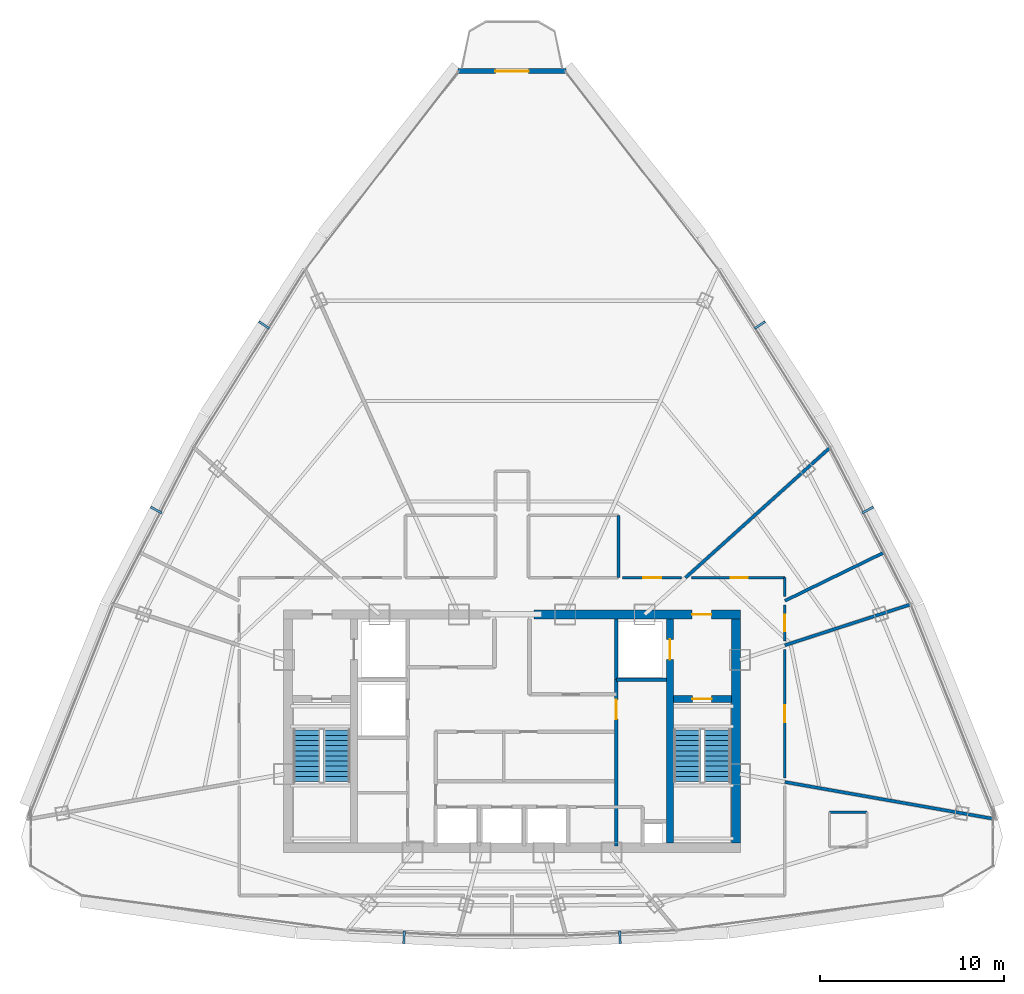
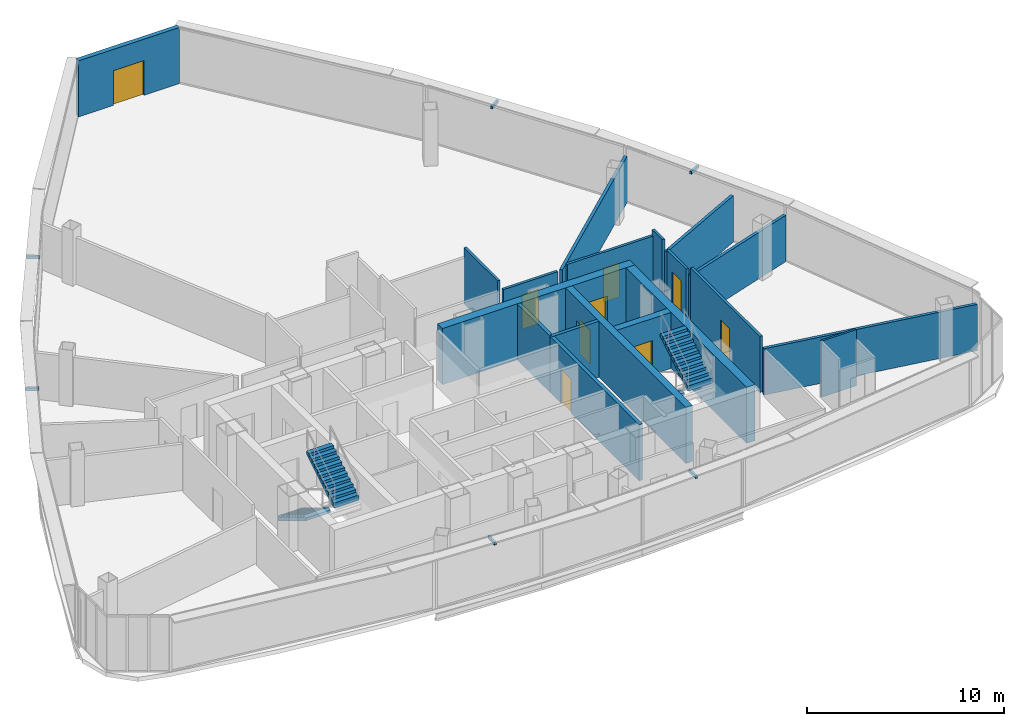
# One storey, part 26 of 29: 19 walls, 9 doors, 6 discrete accessories, 4 stair flights, 9 openings, 2 elements without a shape of their own.
"""IFC4 building model written with IfcOpenShell, lengths in metres."""

from ifc_helpers import new_model, si_unit, direction, frame, frame_2d, origin, origin_with_axes, origin_2d, place, context, subcontext, project, spatial, polyline, rectangle, outline, extrude, source, transform, mapped, material, layer, layer_set, type_object, element, fill, aggregate, save


model = new_model("IFC4")

# Units and contexts
model_context = context("Model", 3, precision=1e-05, world=origin(), true_north=direction((0.0, 1.0)))
body_context = subcontext(model_context, "Body", "Model", "MODEL_VIEW")
ifc_project = project(units=[si_unit("LENGTHUNIT", "METRE"), si_unit("AREAUNIT", "SQUARE_METRE"), si_unit("VOLUMEUNIT", "CUBIC_METRE"), si_unit("PLANEANGLEUNIT", "RADIAN"), si_unit("MASSUNIT", "GRAM", prefix="KILO"), si_unit("THERMODYNAMICTEMPERATUREUNIT", "KELVIN"), si_unit("POWERUNIT", "WATT")], contexts=[model_context])

# Site, building, storey
site_placement = place(None, origin())
site = spatial("IfcSite", under=ifc_project, at=site_placement, CompositionType="ELEMENT")
building_placement = place(site_placement, origin())
building = spatial("IfcBuilding", under=site, at=building_placement, Name="Yunzhuo Pagoda Commons", CompositionType="ELEMENT")
storey_placement = place(building_placement, frame((0.0, 0.0, 363.010009765625)))
storey = spatial("IfcBuildingStorey", under=building, at=storey_placement, Name="L91", CompositionType="ELEMENT", Elevation=363.010009765625)

# Wall, opening, door
ifc_material_1 = material(Name="Precast concrete C40", Category="concrete")
ifc_layer_1 = layer(ifc_material_1, 0.260009765625)
ifc_layer_set_1 = layer_set([ifc_layer_1], Name="Precast concrete C40")
wall_type_1 = type_object("IfcWallType", Name="W-BAL1 Corner Balcony Threshold Wall 260", PredefinedType="STANDARD", material=ifc_layer_set_1)
wall_1_placement = place(storey_placement, frame((50.951904296875, 69.7763671875, 0.0), z_axis=(0.0, 0.0, 1.0), x_axis=(-1.0, 0.0, 0.0)))
wall_1 = element("IfcWall", 1, at=wall_1_placement, inside=storey, type_object=wall_type_1, Name="L91 corner balcony wall V3", PredefinedType="STANDARD", context=body_context, shape_type="SweptSolid", body=[
    extrude(rectangle(XDim=5.90380859375, YDim=0.260009765625, at=frame_2d((2.951904296875, 0.0))), origin(), (0.0, 0.0, 1.0), 3.469970703125),
])
opening_1_placement = place(wall_1_placement, frame((2.052001953125, 0.0, 0.0)))
opening_1 = element("IfcOpeningElement", 2, at=opening_1_placement, cuts=wall_1, Name="Opening D-BAL1", PredefinedType="OPENING", context=body_context, shape_type="SweptSolid", body=[
    extrude(rectangle(XDim=1.800048828125, YDim=2.14990234375, at=frame_2d((0.89990234375, 1.074951171875))), frame((0.0, 0.14013671875, 0.0), z_axis=(0.0, -1.0, 0.0), x_axis=(1.0, 0.0, 0.0)), (0.0, 0.0, 1.0), 0.280029296875),
])
ifc_material_2 = material(Name="Anodized aluminium frame and tempered glazed leaf", Category="aluminium")
door_type_1 = type_object("IfcDoorType", Name="D-BAL1 Corner Balcony Sliding Glazed Door 1800x2150", OperationType="DOUBLE_DOOR_SLIDING", PredefinedType="DOOR", material=ifc_material_2)
shared_shape_1 = source(origin(), body_context, "Body", "SweptSolid", [
    extrude(rectangle(XDim=1.800048828125, YDim=2.14990234375, at=frame_2d((0.89990234375, 1.074951171875))), frame((0.0, 0.02490234375, 0.0), z_axis=(0.0, -1.0, 0.0), x_axis=(1.0, 0.0, 0.0)), (0.0, 0.0, 1.0), 0.050048828125),
])
door_1_placement = place(opening_1_placement, origin_with_axes())
door_1 = element("IfcDoor", 3, at=door_1_placement, inside=storey, type_object=door_type_1, Name="L91 corner balcony sliding door V3", OperationType="DOUBLE_DOOR_SLIDING", OverallHeight=2.14990234375, OverallWidth=1.800048828125, PredefinedType="DOOR", context=body_context, shape_type="MappedRepresentation", body=[
    mapped(shared_shape_1, transform((0.0, 0.0, 0.0), scale=1.0)),
])
fill(opening_1, door_1)

ifc_material_3 = material(Name="Concrete C50", Category="concrete")
ifc_layer_2 = layer(ifc_material_3, 0.5)
ifc_layer_set_2 = layer_set([ifc_layer_2], Name="Concrete C50")
wall_type_2 = type_object("IfcWallType", Name="W-C03 Upper Core Shear Wall 500", PredefinedType="SHEAR", material=ifc_layer_set_2)
wall_2_placement = place(storey_placement, frame((49.199951171875, 40.199951171875, 0.0), z_axis=(0.0, 0.0, 1.0), x_axis=(1.0, 0.0, 0.0)))
wall_2 = element("IfcWall", 4, at=wall_2_placement, inside=storey, type_object=wall_type_2, Name="L91 core shear wall NE", PredefinedType="SHEAR", context=body_context, shape_type="SweptSolid", body=[
    extrude(rectangle(XDim=11.25, YDim=0.5, at=frame_2d((5.625, 0.0))), origin(), (0.0, 0.0, 1.0), 3.469970703125),
])
opening_2_placement = place(wall_2_placement, frame((8.60009765625, 0.0, 0.0)))
opening_2 = element("IfcOpeningElement", 5, at=opening_2_placement, cuts=wall_2, Name="Opening D-02", PredefinedType="OPENING", context=body_context, shape_type="SweptSolid", body=[
    extrude(rectangle(XDim=1.050048828125, YDim=2.10009765625, at=frame_2d((0.52490234375, 1.050048828125))), frame((0.0, 0.260009765625, 0.0), z_axis=(0.0, -1.0, 0.0), x_axis=(1.0, 0.0, 0.0)), (0.0, 0.0, 1.0), 0.52001953125),
])
ifc_material_4 = material(Name="Galvanized fire-resisting metal leaf")
door_type_2 = type_object("IfcDoorType", Name="D-02 Firefighting Lobby & Refuge Fire Door 1050x2100", OperationType="NOTDEFINED", PredefinedType="DOOR", material=ifc_material_4)
shared_shape_2 = source(origin(), body_context, "Body", "SweptSolid", [
    extrude(rectangle(XDim=1.050048828125, YDim=2.10009765625, at=frame_2d((0.52490234375, 1.050048828125))), frame((0.0, 0.02490234375, 0.0), z_axis=(0.0, -1.0, 0.0), x_axis=(1.0, 0.0, 0.0)), (0.0, 0.0, 1.0), 0.050048828125),
])
door_2_placement = place(opening_2_placement, frame((1.050048828125, 0.0, 0.0), z_axis=(0.0, 0.0, 1.0), x_axis=(-1.0, 0.0, 0.0)))
door_2 = element("IfcDoor", 6, at=door_2_placement, inside=storey, type_object=door_type_2, Name="L91 Firefighting Lobby 2 fire door", OperationType="SINGLE_SWING_RIGHT", OverallHeight=2.10009765625, OverallWidth=1.050048828125, PredefinedType="DOOR", context=body_context, shape_type="MappedRepresentation", body=[
    mapped(shared_shape_2, transform((0.0, 0.0, 0.0), scale=1.0)),
])
fill(opening_2, door_2)

# Walls
wall_3_placement = place(storey_placement, frame((60.199951171875, 27.75, 0.0), z_axis=(0.0, 0.0, 1.0), x_axis=(0.0, 1.0, 0.0)))
element("IfcWall", 7, at=wall_3_placement, inside=storey, type_object=wall_type_2, Name="L91 core shear wall E", PredefinedType="SHEAR", context=body_context, shape_type="SweptSolid", body=[
    extrude(rectangle(XDim=12.199951171875, YDim=0.5, at=frame_2d((6.10009765625, 0.0))), origin(), (0.0, 0.0, 1.0), 3.469970703125),
])
ifc_material_5 = material(Name="Gypsum plasterboard on acoustic stud")
ifc_layer_3 = layer(ifc_material_5, 0.14990234375)
ifc_layer_set_3 = layer_set([ifc_layer_3], Name="Gypsum plasterboard on acoustic stud")
wall_type_3 = type_object("IfcWallType", Name="W-COR3 High-Zone Rated Corridor Wall 150", PredefinedType="PARTITIONING", material=ifc_layer_set_3)
wall_4_placement = place(storey_placement, frame((53.800048828125, 42.199951171875, 0.0), z_axis=(0.0, 0.0, 1.0), x_axis=(0.0, 1.0, 0.0)))
element("IfcWall", 8, at=wall_4_placement, inside=storey, type_object=wall_type_3, Name="L91 interior wall IW-L91-TFEE", PredefinedType="PARTITIONING", context=body_context, shape_type="SweptSolid", body=[
    extrude(rectangle(XDim=3.400146484375, YDim=0.14990234375, at=frame_2d((1.7001953125, 0.0))), origin(), (0.0, 0.0, 1.0), 3.469970703125),
])

# Wall, opening, door
wall_5_placement = place(storey_placement, frame((54.02001953125, 42.199951171875, 0.0), z_axis=(0.0, 0.0, 1.0), x_axis=(1.0, 0.0, 0.0)))
wall_5 = element("IfcWall", 9, at=wall_5_placement, inside=storey, type_object=wall_type_3, Name="L91 interior wall IW-L91-CWL10", PredefinedType="PARTITIONING", context=body_context, shape_type="SweptSolid", body=[
    extrude(rectangle(XDim=3.200439453125, YDim=0.14990234375, at=frame_2d((1.60009765625, 0.0))), origin(), (0.0, 0.0, 1.0), 2.869873046875),
])
opening_3_placement = place(wall_5_placement, frame((1.125, 0.0, 0.0)))
opening_3 = element("IfcOpeningElement", 10, at=opening_3_placement, cuts=wall_5, Name="Opening D-08", PredefinedType="OPENING", context=body_context, shape_type="SweptSolid", body=[
    extrude(rectangle(XDim=0.97998046875, YDim=2.1201171875, at=frame_2d((0.489990234375, 1.06005859375))), frame((0.0, 0.0849609375, 0.0), z_axis=(0.0, -1.0, 0.0), x_axis=(1.0, 0.0, 0.0)), (0.0, 0.0, 1.0), 0.169921875),
])
door_type_3 = type_object("IfcDoorType", Name="D-08 High-Zone Suite Entrance Fire Door 980x2120", OperationType="NOTDEFINED", PredefinedType="DOOR", material=ifc_material_4)
shared_shape_3 = source(origin(), body_context, "Body", "SweptSolid", [
    extrude(rectangle(XDim=0.97998046875, YDim=2.1201171875, at=frame_2d((0.489990234375, 1.06005859375))), frame((0.0, 0.02490234375, 0.0), z_axis=(0.0, -1.0, 0.0), x_axis=(1.0, 0.0, 0.0)), (0.0, 0.0, 1.0), 0.050048828125),
])
door_3_placement = place(opening_3_placement, origin_with_axes())
door_3 = element("IfcDoor", 11, at=door_3_placement, inside=storey, type_object=door_type_3, Name="L91 Shared Resident Kitchen and Pantry door", OperationType="SINGLE_SWING_LEFT", OverallHeight=2.1201171875, OverallWidth=0.97998046875, PredefinedType="DOOR", context=body_context, shape_type="MappedRepresentation", body=[
    mapped(shared_shape_3, transform((0.0, 0.0, 0.0), scale=1.0)),
])
fill(opening_3, door_3)

wall_6_placement = place(storey_placement, frame((57.76904296875, 42.199951171875, 0.0), z_axis=(0.0, 0.0, 1.0), x_axis=(1.0, 0.0, 0.0)))
wall_6 = element("IfcWall", 12, at=wall_6_placement, inside=storey, type_object=wall_type_3, Name="L91 interior wall IW-L91-CWL11", PredefinedType="PARTITIONING", context=body_context, shape_type="SweptSolid", body=[
    extrude(rectangle(XDim=5.0810546875, YDim=0.14990234375, at=frame_2d((2.54052734375, 0.0))), origin(), (0.0, 0.0, 1.0), 3.119873046875),
])
opening_4_placement = place(wall_6_placement, frame((2.14599609375, 0.0, 0.0)))
opening_4 = element("IfcOpeningElement", 13, at=opening_4_placement, cuts=wall_6, Name="Opening D-04", PredefinedType="OPENING", context=body_context, shape_type="SweptSolid", body=[
    extrude(rectangle(XDim=0.919921875, YDim=2.10009765625, at=frame_2d((0.4599609375, 1.050048828125))), frame((0.0, 0.0849609375, 0.0), z_axis=(0.0, -1.0, 0.0), x_axis=(1.0, 0.0, 0.0)), (0.0, 0.0, 1.0), 0.169921875),
])
ifc_material_6 = material(Name="Powder-coated aluminium and timber acoustic leaf", Category="wood")
door_type_4 = type_object("IfcDoorType", Name="D-04 Bedroom & Study Interior Door 920x2100", OperationType="NOTDEFINED", PredefinedType="DOOR", material=ifc_material_6)
shared_shape_4 = source(origin(), body_context, "Body", "SweptSolid", [
    extrude(rectangle(XDim=0.919921875, YDim=2.10009765625, at=frame_2d((0.4599609375, 1.050048828125))), frame((0.0, 0.02490234375, 0.0), z_axis=(0.0, -1.0, 0.0), x_axis=(1.0, 0.0, 0.0)), (0.0, 0.0, 1.0), 0.050048828125),
])
door_4_placement = place(opening_4_placement, origin_with_axes())
door_4 = element("IfcDoor", 14, at=door_4_placement, inside=storey, type_object=door_type_4, Name="L91 fellow workroom 03 door", OperationType="SINGLE_SWING_RIGHT", OverallHeight=2.10009765625, OverallWidth=0.919921875, PredefinedType="DOOR", context=body_context, shape_type="MappedRepresentation", body=[
    mapped(shared_shape_4, transform((0.0, 0.0, 0.0), scale=1.0)),
])
fill(opening_4, door_4)

# Wall
wall_7_placement = place(storey_placement, frame((62.85009765625, 42.199951171875, 0.0), z_axis=(0.0, 0.0, 1.0), x_axis=(0.0, -1.0, 0.0)))
element("IfcWall", 15, at=wall_7_placement, inside=storey, type_object=wall_type_3, Name="L91 interior wall IW-L91-CWL12", PredefinedType="PARTITIONING", context=body_context, shape_type="SweptSolid", body=[
    extrude(rectangle(XDim=1.012451171875, YDim=0.14990234375, at=frame_2d((0.50634765625, 0.0))), origin(), (0.0, 0.0, 1.0), 3.469970703125),
])

# Wall, opening, door
wall_8_placement = place(storey_placement, frame((62.85009765625, 40.722900390625, 0.0), z_axis=(0.0, 0.0, 1.0), x_axis=(0.0, -1.0, 0.0)))
wall_8 = element("IfcWall", 16, at=wall_8_placement, inside=storey, type_object=wall_type_3, Name="L91 interior wall IW-L91-CWL13", PredefinedType="PARTITIONING", context=body_context, shape_type="SweptSolid", body=[
    extrude(rectangle(XDim=1.966552734375, YDim=0.14990234375, at=frame_2d((0.9833984375, 0.0))), origin(), (0.0, 0.0, 1.0), 3.119873046875),
])
opening_5_placement = place(wall_8_placement, frame((0.529052734375, 0.0, 0.0)))
opening_5 = element("IfcOpeningElement", 17, at=opening_5_placement, cuts=wall_8, Name="Opening D-12", PredefinedType="OPENING", context=body_context, shape_type="SweptSolid", body=[
    extrude(rectangle(XDim=0.89990234375, YDim=2.080078125, at=frame_2d((0.449951171875, 1.0400390625))), frame((0.0, 0.0849609375, 0.0), z_axis=(0.0, -1.0, 0.0), x_axis=(1.0, 0.0, 0.0)), (0.0, 0.0, 1.0), 0.169921875),
])
door_type_5 = type_object("IfcDoorType", Name="D-12 Quiet Study Interior Door 900x2080", OperationType="NOTDEFINED", PredefinedType="DOOR", material=ifc_material_6)
shared_shape_5 = source(origin(), body_context, "Body", "SweptSolid", [
    extrude(rectangle(XDim=0.89990234375, YDim=2.080078125, at=frame_2d((0.449951171875, 1.0400390625))), frame((0.0, 0.02490234375, 0.0), z_axis=(0.0, -1.0, 0.0), x_axis=(1.0, 0.0, 0.0)), (0.0, 0.0, 1.0), 0.050048828125),
])
door_5_placement = place(opening_5_placement, origin_with_axes())
door_5 = element("IfcDoor", 18, at=door_5_placement, inside=storey, type_object=door_type_5, Name="L91 study lounge 02 door", OperationType="SINGLE_SWING_LEFT", OverallHeight=2.080078125, OverallWidth=0.89990234375, PredefinedType="DOOR", context=body_context, shape_type="MappedRepresentation", body=[
    mapped(shared_shape_5, transform((0.0, 0.0, 0.0), scale=1.0)),
])
fill(opening_5, door_5)

wall_9_placement = place(storey_placement, frame((62.85009765625, 38.305419921875, 0.0), z_axis=(0.0, 0.0, 1.0), x_axis=(0.0, -1.0, 0.0)))
wall_9 = element("IfcWall", 19, at=wall_9_placement, inside=storey, type_object=wall_type_3, Name="L91 interior wall IW-L91-CWL14", PredefinedType="PARTITIONING", context=body_context, shape_type="SweptSolid", body=[
    extrude(rectangle(XDim=7.004150390625, YDim=0.14990234375, at=frame_2d((3.501953125, 0.0))), origin(), (0.0, 0.0, 1.0), 3.469970703125),
])
opening_6_placement = place(wall_9_placement, frame((3.0419921875, 0.0, 0.0)))
opening_6 = element("IfcOpeningElement", 20, at=opening_6_placement, cuts=wall_9, Name="Opening D-04", PredefinedType="OPENING", context=body_context, shape_type="SweptSolid", body=[
    extrude(rectangle(XDim=0.919921875, YDim=2.10009765625, at=frame_2d((0.4599609375, 1.050048828125))), frame((0.0, 0.0849609375, 0.0), z_axis=(0.0, -1.0, 0.0), x_axis=(1.0, 0.0, 0.0)), (0.0, 0.0, 1.0), 0.169921875),
])
door_6_placement = place(opening_6_placement, origin_with_axes())
door_6 = element("IfcDoor", 21, at=door_6_placement, inside=storey, type_object=door_type_4, Name="L91 seminar room 01 door", OperationType="SINGLE_SWING_RIGHT", OverallHeight=2.10009765625, OverallWidth=0.919921875, PredefinedType="DOOR", context=body_context, shape_type="MappedRepresentation", body=[
    mapped(shared_shape_4, transform((0.0, 0.0, 0.0), scale=1.0)),
])
fill(opening_6, door_6)

# Walls
ifc_layer_4 = layer(ifc_material_5, 0.1201171875)
ifc_layer_set_4 = layer_set([ifc_layer_4], Name="Gypsum plasterboard on acoustic stud")
wall_type_4 = type_object("IfcWallType", Name="W-PRT1 Suite & Bathroom Partition 120", PredefinedType="PARTITIONING", material=ifc_layer_set_4)
wall_10_placement = place(storey_placement, frame((67.324951171875, 29.43994140625, 0.0), z_axis=(0.0, 0.0, 1.0), x_axis=(-1.0, 0.0, 0.0)))
element("IfcWall", 22, at=wall_10_placement, inside=storey, type_object=wall_type_4, Name="L91 interior wall IW-L91-B11N", PredefinedType="PARTITIONING", context=body_context, shape_type="SweptSolid", body=[
    extrude(rectangle(XDim=2.050048828125, YDim=0.1201171875, at=frame_2d((1.02490234375, 0.0))), origin(), (0.0, 0.0, 1.0), 3.469970703125),
])
ifc_layer_5 = layer(ifc_material_5, 0.169921875)
ifc_layer_set_5 = layer_set([ifc_layer_5], Name="Gypsum plasterboard on acoustic stud")
wall_type_5 = type_object("IfcWallType", Name="W-PRT4 High-Zone Demising Wall 170", PredefinedType="PARTITIONING", material=ifc_layer_set_5)
wall_11_placement = place(storey_placement, frame((62.85009765625, 38.525146484375, 0.0), z_axis=(0.0, 0.0, 1.0), x_axis=(0.951060950279, 0.309003347644, 0.0)))
element("IfcWall", 23, at=wall_11_placement, inside=storey, type_object=wall_type_5, Name="L91 interior wall IW-L91-RAD01", PredefinedType="PARTITIONING", context=body_context, shape_type="SweptSolid", body=[
    extrude(rectangle(XDim=7.207275390625, YDim=0.169921875, at=frame_2d((3.603515625, 0.0))), origin(), (0.0, 0.0, 1.0), 2.869873046875),
])
wall_12_placement = place(storey_placement, frame((62.85009765625, 40.94287109375, 0.0), z_axis=(0.0, 0.0, 1.0), x_axis=(0.898803189206, 0.438352400557, 0.0)))
element("IfcWall", 24, at=wall_12_placement, inside=storey, type_object=wall_type_5, Name="L91 interior wall IW-L91-RAD02", PredefinedType="PARTITIONING", context=body_context, shape_type="SweptSolid", body=[
    extrude(rectangle(XDim=6.010009765625, YDim=0.169921875, at=frame_2d((3.0048828125, 0.0))), origin(), (0.0, 0.0, 1.0), 2.869873046875),
])
wall_13_placement = place(storey_placement, frame((57.440185546875, 42.199951171875, 0.0), z_axis=(0.0, 0.0, 1.0), x_axis=(0.743152066897, 0.66912256386, 0.0)))
element("IfcWall", 25, at=wall_13_placement, inside=storey, type_object=wall_type_5, Name="L91 interior wall IW-L91-RAD03", PredefinedType="PARTITIONING", context=body_context, shape_type="SweptSolid", body=[
    extrude(rectangle(XDim=10.59619140625, YDim=0.169921875, at=frame_2d((5.298095703125, 0.0))), origin(), (0.0, 0.0, 1.0), 2.869873046875),
])
wall_14_placement = place(storey_placement, frame((62.85009765625, 31.08154296875, 0.0), z_axis=(0.0, 0.0, 1.0), x_axis=(0.984809380036, -0.173638950101, 0.0)))
element("IfcWall", 26, at=wall_14_placement, inside=storey, type_object=wall_type_5, Name="L91 interior wall IW-L91-RAD13", PredefinedType="PARTITIONING", context=body_context, shape_type="SweptSolid", body=[
    extrude(rectangle(XDim=11.512451171875, YDim=0.169921875, at=frame_2d((5.75634765625, 0.0))), origin(), (0.0, 0.0, 1.0), 2.869873046875),
])

# Wall, opening, door
ifc_material_7 = material(Name="Concrete C60", Category="concrete")
ifc_layer_6 = layer(ifc_material_7, 0.39990234375)
ifc_layer_set_6 = layer_set([ifc_layer_6], Name="Concrete C60")
wall_type_6 = type_object("IfcWallType", Name="W-S01 Internal Core Shear Web 400", PredefinedType="SHEAR", material=ifc_layer_set_6)
wall_15_placement = place(storey_placement, frame((56.60009765625, 27.75, 0.0), z_axis=(0.0, 0.0, 1.0), x_axis=(0.0, 1.0, 0.0)))
wall_15 = element("IfcWall", 27, at=wall_15_placement, inside=storey, type_object=wall_type_6, Name="L91 core shear wall WEBE", PredefinedType="SHEAR", context=body_context, shape_type="SweptSolid", body=[
    extrude(rectangle(XDim=12.199951171875, YDim=0.39990234375, at=frame_2d((6.10009765625, 0.0))), origin(), (0.0, 0.0, 1.0), 3.469970703125),
])
opening_7_placement = place(wall_15_placement, frame((10.0, 0.0, 0.0)))
opening_7 = element("IfcOpeningElement", 28, at=opening_7_placement, cuts=wall_15, Name="Opening LD-01", PredefinedType="OPENING", context=body_context, shape_type="SweptSolid", body=[
    extrude(rectangle(XDim=1.10009765625, YDim=2.10009765625, at=frame_2d((0.550048828125, 1.050048828125))), frame((0.0, 0.2099609375, 0.0), z_axis=(0.0, -1.0, 0.0), x_axis=(1.0, 0.0, 0.0)), (0.0, 0.0, 1.0), 0.419921875),
])
door_type_6 = type_object("IfcDoorType", Name="LD-01 Firefighting Lift Landing Door 1100x2100", OperationType="DOUBLE_DOOR_SLIDING", PredefinedType="DOOR", material=ifc_material_4)
shared_shape_6 = source(origin(), body_context, "Body", "SweptSolid", [
    extrude(rectangle(XDim=1.10009765625, YDim=2.10009765625, at=frame_2d((0.550048828125, 1.050048828125))), frame((0.0, 0.02490234375, 0.0), z_axis=(0.0, -1.0, 0.0), x_axis=(1.0, 0.0, 0.0)), (0.0, 0.0, 1.0), 0.050048828125),
])
door_7_placement = place(opening_7_placement, origin_with_axes())
door_7 = element("IfcDoor", 29, at=door_7_placement, inside=storey, type_object=door_type_6, Name="L91 Firefighting lift FL-2 landing door", OperationType="DOUBLE_DOOR_SLIDING", OverallHeight=2.10009765625, OverallWidth=1.10009765625, PredefinedType="DOOR", context=body_context, shape_type="MappedRepresentation", body=[
    mapped(shared_shape_6, transform((0.0, 0.0, 0.0), scale=1.0)),
])
fill(opening_7, door_7)

wall_16_placement = place(storey_placement, frame((56.800048828125, 35.60009765625, 0.0), z_axis=(0.0, 0.0, 1.0), x_axis=(1.0, 0.0, 0.0)))
wall_16 = element("IfcWall", 30, at=wall_16_placement, inside=storey, type_object=wall_type_6, Name="L91 core shear wall STE", PredefinedType="SHEAR", context=body_context, shape_type="SweptSolid", body=[
    extrude(rectangle(XDim=3.14990234375, YDim=0.39990234375, at=frame_2d((1.574951171875, 0.0))), origin(), (0.0, 0.0, 1.0), 3.469970703125),
])
opening_8_placement = place(wall_16_placement, frame((1.02001953125, 0.0, 0.0)))
opening_8 = element("IfcOpeningElement", 31, at=opening_8_placement, cuts=wall_16, Name="Opening D-01", PredefinedType="OPENING", context=body_context, shape_type="SweptSolid", body=[
    extrude(rectangle(XDim=1.050048828125, YDim=2.10009765625, at=frame_2d((0.52490234375, 1.050048828125))), frame((0.0, 0.2099609375, 0.0), z_axis=(0.0, -1.0, 0.0), x_axis=(1.0, 0.0, 0.0)), (0.0, 0.0, 1.0), 0.419921875),
])
door_type_7 = type_object("IfcDoorType", Name="D-01 Smokeproof Stair Fire Door 1050x2100", OperationType="NOTDEFINED", PredefinedType="DOOR", material=ifc_material_4)
door_8_placement = place(opening_8_placement, frame((1.050048828125, 0.0, 0.0), z_axis=(0.0, 0.0, 1.0), x_axis=(-1.0, 0.0, 0.0)))
door_8 = element("IfcDoor", 32, at=door_8_placement, inside=storey, type_object=door_type_7, Name="L91 Stair ST2 fire door", OperationType="SINGLE_SWING_RIGHT", OverallHeight=2.10009765625, OverallWidth=1.050048828125, PredefinedType="DOOR", context=body_context, shape_type="MappedRepresentation", body=[
    mapped(shared_shape_2, transform((0.0, 0.0, 0.0), scale=1.0)),
])
fill(opening_8, door_8)

# Walls
ifc_material_8 = material(Name="Concrete C40", Category="concrete")
ifc_layer_7 = layer(ifc_material_8, 0.199951171875)
ifc_layer_set_7 = layer_set([ifc_layer_7], Name="Concrete C40")
wall_type_7 = type_object("IfcWallType", Name="W-SHF Shaft & Stair Enclosure Wall 200", PredefinedType="SOLIDWALL", material=ifc_layer_set_7)
wall_17_placement = place(storey_placement, frame((53.679931640625, 36.64990234375, 0.0), z_axis=(0.0, 0.0, 1.0), x_axis=(0.0, 1.0, 0.0)))
element("IfcWall", 33, at=wall_17_placement, inside=storey, type_object=wall_type_7, Name="L91 interior wall IW-L91-FL2W", PredefinedType="SOLIDWALL", context=body_context, shape_type="SweptSolid", body=[
    extrude(rectangle(XDim=3.300048828125, YDim=0.199951171875, at=frame_2d((1.64990234375, 0.0))), origin(), (0.0, 0.0, 1.0), 3.469970703125),
])
wall_18_placement = place(storey_placement, frame((53.679931640625, 36.64990234375, 0.0), z_axis=(0.0, 0.0, 1.0), x_axis=(1.0, 0.0, 0.0)))
element("IfcWall", 34, at=wall_18_placement, inside=storey, type_object=wall_type_7, Name="L91 interior wall IW-L91-FL2S", PredefinedType="SOLIDWALL", context=body_context, shape_type="SweptSolid", body=[
    extrude(rectangle(XDim=2.719970703125, YDim=0.199951171875, at=frame_2d((1.35986328125, 0.0))), origin(), (0.0, 0.0, 1.0), 3.469970703125),
])

# Wall, opening, door
wall_19_placement = place(storey_placement, frame((53.679931640625, 27.60009765625, 0.0), z_axis=(0.0, 0.0, 1.0), x_axis=(0.0, 1.0, 0.0)))
wall_19 = element("IfcWall", 35, at=wall_19_placement, inside=storey, type_object=wall_type_7, Name="L91 interior wall IW-L91-PLME", PredefinedType="SOLIDWALL", context=body_context, shape_type="SweptSolid", body=[
    extrude(rectangle(XDim=9.0498046875, YDim=0.199951171875, at=frame_2d((4.52490234375, 0.0))), origin(), (0.0, 0.0, 1.0), 3.469970703125),
])
opening_9_placement = place(wall_19_placement, frame((6.89990234375, 0.0, 0.0)))
opening_9 = element("IfcOpeningElement", 36, at=opening_9_placement, cuts=wall_19, Name="Opening D-02", PredefinedType="OPENING", context=body_context, shape_type="SweptSolid", body=[
    extrude(rectangle(XDim=1.050048828125, YDim=2.10009765625, at=frame_2d((0.52490234375, 1.050048828125))), frame((0.0, 0.10986328125, 0.0), z_axis=(0.0, -1.0, 0.0), x_axis=(1.0, 0.0, 0.0)), (0.0, 0.0, 1.0), 0.219970703125),
])
door_9_placement = place(opening_9_placement, origin_with_axes())
door_9 = element("IfcDoor", 37, at=door_9_placement, inside=storey, type_object=door_type_2, Name="L91 High-bank lift hall door", OperationType="SINGLE_SWING_RIGHT", OverallHeight=2.10009765625, OverallWidth=1.050048828125, PredefinedType="DOOR", context=body_context, shape_type="MappedRepresentation", body=[
    mapped(shared_shape_2, transform((0.0, 0.0, 0.0), scale=1.0)),
])
fill(opening_9, door_9)

# Stair, stair flights
stair_type_1 = type_object("IfcStairType", Name="ST-C1 Core Smokeproof Stair ST1", PredefinedType="HALF_TURN_STAIR", material=ifc_material_8)
stair_1_placement = place(storey_placement, origin())
stair_1 = element("IfcStair", 38, at=stair_1_placement, inside=storey, type_object=stair_type_1, Name="L91 Core smokeproof stair ST1", PredefinedType="HALF_TURN_STAIR")
stair_flight_type_1 = type_object("IfcStairFlightType", Name="STF-C1 Core Stair Flight 1450", PredefinedType="STRAIGHT", material=ifc_material_8)
shared_shape_7 = source(origin(), body_context, "Body", "SweptSolid", [
    extrude(outline(polyline([(0.0, -0.14990234375), (0.0, 0.0), (0.0, 0.17041015625), (0.280029296875, 0.17041015625), (0.280029296875, 0.3408203125), (0.56005859375, 0.3408203125), (0.56005859375, 0.511474609375), (0.840087890625, 0.511474609375), (0.840087890625, 0.681884765625), (1.1201171875, 0.681884765625), (1.1201171875, 0.852294921875), (1.39990234375, 0.852294921875), (1.39990234375, 1.022705078125), (1.679931640625, 1.022705078125), (1.679931640625, 1.193115234375), (1.9599609375, 1.193115234375), (1.9599609375, 1.363525390625), (2.239990234375, 1.363525390625), (2.239990234375, 1.5341796875), (2.52001953125, 1.5341796875), (2.52001953125, 1.70458984375), (2.800048828125, 1.70458984375), (2.800048828125, 1.875), (2.800048828125, 1.529052734375), (0.288330078125, 0.0), (0.050048828125, -0.14990234375), (0.0, -0.14990234375)])), frame((0.0, 0.72509765625, 0.0), z_axis=(0.0, -1.0, 0.0), x_axis=(1.0, 0.0, 0.0)), (0.0, 0.0, 1.0), 1.449951171875),
])
stair_flight_1_placement = place(storey_placement, frame((36.824951171875, 33.89990234375, 0.0), z_axis=(0.0, 0.0, 1.0), x_axis=(0.0, -1.0, 0.0)))
stair_flight_1 = element("IfcStairFlight", 39, at=stair_flight_1_placement, type_object=stair_flight_type_1, Name="ST1 flight 1", NumberOfRisers=11, NumberOfTreads=10, PredefinedType="STRAIGHT", RiserHeight=0.170454545, TreadLength=0.28, context=body_context, shape_type="MappedRepresentation", body=[
    mapped(shared_shape_7, transform((0.0, 0.0, 0.0), scale=1.0)),
])
stair_flight_2_placement = place(storey_placement, frame((38.47509765625, 31.10009765625, 1.875), z_axis=(0.0, 0.0, 1.0), x_axis=(0.0, 1.0, 0.0)))
stair_flight_2 = element("IfcStairFlight", 40, at=stair_flight_2_placement, type_object=stair_flight_type_1, Name="ST1 flight 2", NumberOfRisers=11, NumberOfTreads=10, PredefinedType="STRAIGHT", RiserHeight=0.170454545, TreadLength=0.28, context=body_context, shape_type="MappedRepresentation", body=[
    mapped(shared_shape_7, transform((0.0, 0.0, 0.0), scale=1.0)),
])
aggregate(stair_1, [stair_flight_1, stair_flight_2])

stair_type_2 = type_object("IfcStairType", Name="ST-C2 Core Smokeproof Stair ST2", PredefinedType="HALF_TURN_STAIR", material=ifc_material_8)
stair_2_placement = place(storey_placement, origin())
stair_2 = element("IfcStair", 41, at=stair_2_placement, inside=storey, type_object=stair_type_2, Name="L91 Core smokeproof stair ST2", PredefinedType="HALF_TURN_STAIR")
stair_flight_type_2 = type_object("IfcStairFlightType", Name="STF-C2 Core Stair Flight 1460", PredefinedType="STRAIGHT", material=ifc_material_8)
stair_flight_3_placement = place(storey_placement, frame((57.52490234375, 33.89990234375, 0.0), z_axis=(0.0, 0.0, 1.0), x_axis=(0.0, -1.0, 0.0)))
stair_flight_3 = element("IfcStairFlight", 42, at=stair_flight_3_placement, type_object=stair_flight_type_2, Name="ST2 flight 1", NumberOfRisers=11, NumberOfTreads=10, PredefinedType="STRAIGHT", RiserHeight=0.170454545, TreadLength=0.28, context=body_context, shape_type="MappedRepresentation", body=[
    mapped(shared_shape_7, transform((0.0, 0.0, 0.0), scale=1.0)),
])
stair_flight_4_placement = place(storey_placement, frame((59.175048828125, 31.10009765625, 1.875), z_axis=(0.0, 0.0, 1.0), x_axis=(0.0, 1.0, 0.0)))
stair_flight_4 = element("IfcStairFlight", 43, at=stair_flight_4_placement, type_object=stair_flight_type_2, Name="ST2 flight 2", NumberOfRisers=11, NumberOfTreads=10, PredefinedType="STRAIGHT", RiserHeight=0.170454545, TreadLength=0.28, context=body_context, shape_type="MappedRepresentation", body=[
    mapped(shared_shape_7, transform((0.0, 0.0, 0.0), scale=1.0)),
])
aggregate(stair_2, [stair_flight_3, stair_flight_4])

# Discrete accessories
ifc_material_9 = material(Name="Anodized aluminium 6063-T6", Category="aluminium")
discrete_accessory_type = type_object("IfcDiscreteAccessoryType", Name="BK-SUN1 Sunshade Outrigger Bracket", PredefinedType="BRACKET", material=ifc_material_9)
shared_shape_8 = source(origin(), body_context, "Body", "SweptSolid", [
    extrude(rectangle(XDim=0.1201171875, YDim=0.679931640625, at=origin_2d()), origin(), (0.0, 0.0, 1.0), 0.179931640625),
])
for number, where, z_axis, x_axis, name in (
    (44, (42.12548828125, 22.64013671875, 3.26025390625), (0.0, 0.0, 1.0), (0.998818043775, -0.04860571396, 0.0), "L91 sunshade outrigger bracket F1.2"),
    (45, (53.87451171875, 22.64013671875, 3.26025390625), (0.0, 0.0, 1.0), (0.998818043775, 0.04860571396, 0.0), "L91 sunshade outrigger bracket F1.3"),
    (46, (67.366943359375, 45.887939453125, 3.26025390625), (0.0, 0.0, 1.0), (-0.461206683033, 0.88729273384, 0.0), "L91 sunshade outrigger bracket F2.2"),
    (47, (61.4921875, 55.951904296875, 3.26025390625), (0.0, 0.0, 1.0), (-0.545838756973, 0.837890238269, 0.0), "L91 sunshade outrigger bracket F2.3"),
    (48, (34.5078125, 55.951904296875, 3.26025390625), (0.0, 0.0, 1.0), (-0.545838756973, -0.837890238269, 0.0), "L91 sunshade outrigger bracket F3.2"),
    (49, (28.633056640625, 45.887939453125, 3.26025390625), (0.0, 0.0, 1.0), (-0.461206683033, -0.88729273384, 0.0), "L91 sunshade outrigger bracket F3.3"),
):
    element("IfcDiscreteAccessory", number, at=place(storey_placement, frame(where, z_axis=z_axis, x_axis=x_axis)), inside=storey, type_object=discrete_accessory_type, Name=name, PredefinedType="BRACKET", context=body_context, shape_type="MappedRepresentation", body=[
        mapped(shared_shape_8, transform((0.0, 0.0, 0.0), scale=1.0)),
    ])

save(model, "model.ifc")
